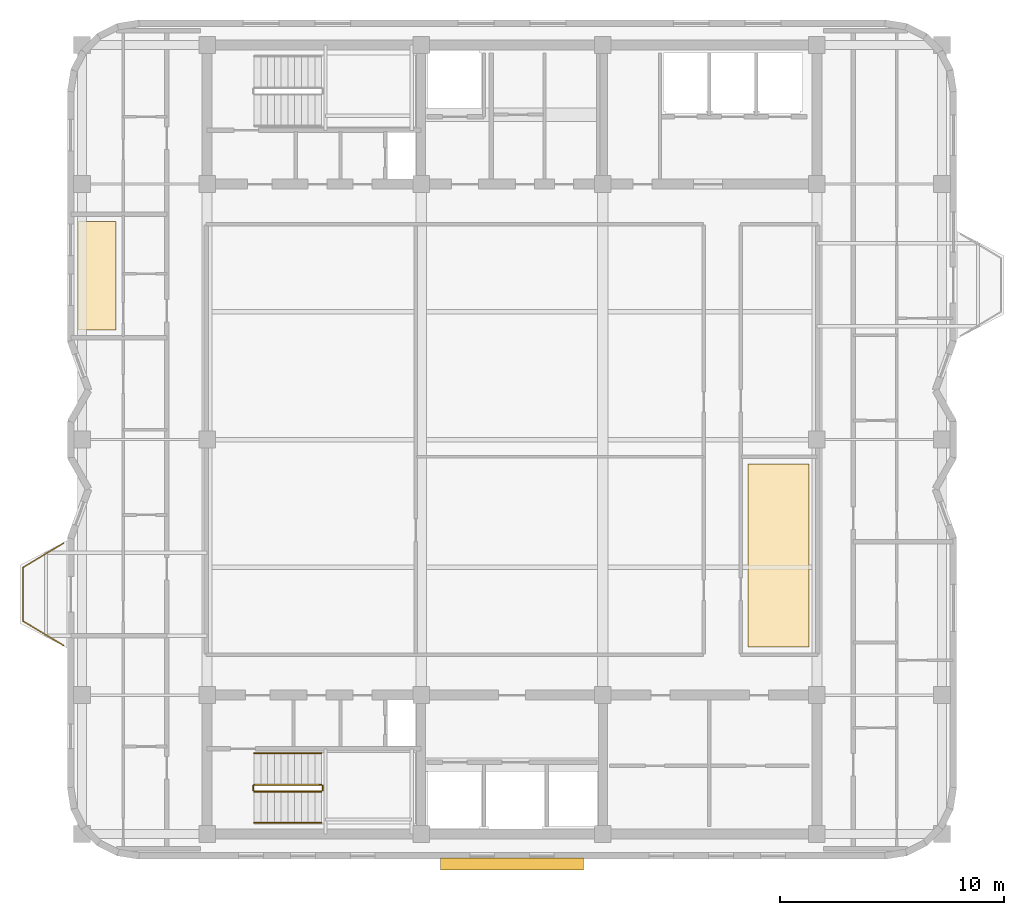
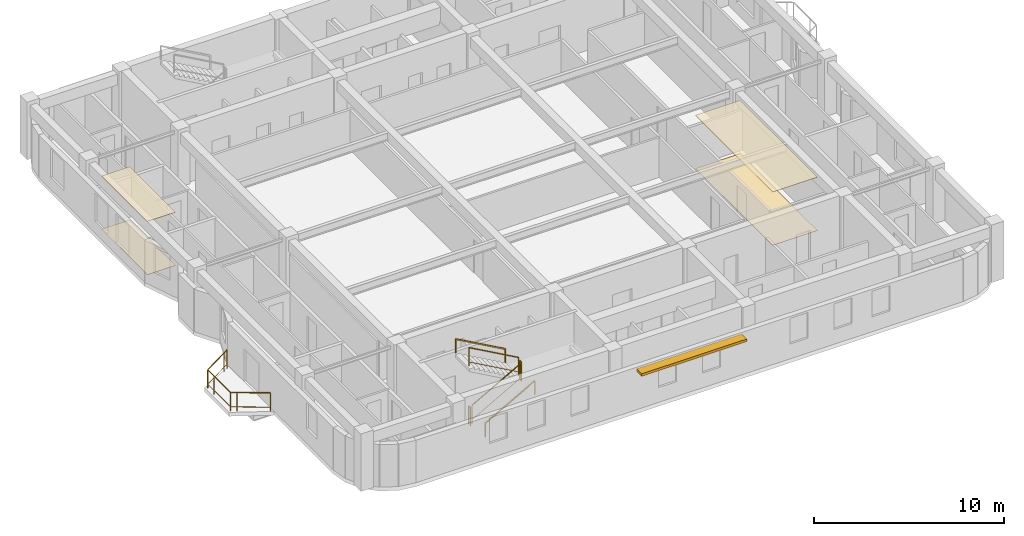
# One storey, part 8 of 9: 7 railings, 4 coverings, 1 shading device.
"""IFC4 building model written with IfcOpenShell, lengths in metres."""

from ifc_helpers import new_model, si_unit, direction, frame, origin, origin_2d, place, context, subcontext, project, spatial, polyline, rectangle, outline, extrude, material, layer, layer_set, type_object, element, save


model = new_model("IFC4")

# Units and contexts
model_context = context("Model", 3, precision=1e-05, world=origin(), true_north=direction((0.0, 1.0)))
body_context = subcontext(model_context, "Body", "Model", "MODEL_VIEW")
ifc_project = project(units=[si_unit("LENGTHUNIT", "METRE"), si_unit("AREAUNIT", "SQUARE_METRE"), si_unit("VOLUMEUNIT", "CUBIC_METRE"), si_unit("PLANEANGLEUNIT", "RADIAN"), si_unit("MASSUNIT", "GRAM", prefix="KILO")], contexts=[model_context])

# Site, building, storey
site_placement = place(None, origin())
site = spatial("IfcSite", under=ifc_project, at=site_placement, CompositionType="ELEMENT")
building_placement = place(site_placement, origin())
building = spatial("IfcBuilding", under=site, at=building_placement, Name="Svetorya Sky Lyceum", CompositionType="ELEMENT")
storey_placement = place(building_placement, frame((0.0, 0.0, 271.300048828125)))
storey = spatial("IfcBuildingStorey", under=building, at=storey_placement, Name="L68", CompositionType="ELEMENT", Elevation=271.300048828125)

# Coverings
ifc_material_1 = material(Name="Mineral-fibre classroom acoustic ceiling tile")
ifc_layer_1 = layer(ifc_material_1, 0.02392578125)
ifc_layer_set_1 = layer_set([ifc_layer_1], Name="Mineral-fibre classroom acoustic ceiling tile")
covering_type_1 = type_object("IfcCoveringType", Name="COV-CLG-AC24", PredefinedType="CEILING", material=ifc_layer_set_1)
covering_1_placement = place(storey_placement, frame((0.0, 0.0, 3.426025390625)))
element("IfcCovering", 1, at=covering_1_placement, inside=storey, type_object=covering_type_1, Name="Residents Club Hall L68 Acoustic Ceiling", PredefinedType="CEILING", context=body_context, shape_type="SweptSolid", body=[
    extrude(outline(polyline([(49.719970703125, 18.949951171875), (52.449951171875, 18.949951171875), (52.449951171875, 27.1044921875), (49.719970703125, 27.1044921875), (49.719970703125, 18.949951171875)])), origin(), (0.0, 0.0, 1.0), 0.02392578125),
])
covering_2_placement = place(storey_placement, frame((0.0, 0.0, 3.426025390625)))
element("IfcCovering", 2, at=covering_2_placement, inside=storey, type_object=covering_type_1, Name="Apartment W3 Studio Living Room Acoustic Ceiling", PredefinedType="CEILING", context=body_context, shape_type="SweptSolid", body=[
    extrude(outline(polyline([(19.830078125, 33.080078125), (21.5400390625, 33.080078125), (21.5400390625, 37.919921875), (19.830078125, 37.919921875), (19.830078125, 33.080078125)])), origin(), (0.0, 0.0, 1.0), 0.02392578125),
])
ifc_material_2 = material(Name="Engineered Nordic oak parquet flooring")
ifc_layer_2 = layer(ifc_material_2, 0.02197265625)
ifc_layer_set_2 = layer_set([ifc_layer_2], Name="Engineered Nordic oak parquet flooring")
covering_type_2 = type_object("IfcCoveringType", Name="COV-FLR-OAK", PredefinedType="FLOORING", material=ifc_layer_set_2)
covering_3_placement = place(storey_placement, origin())
element("IfcCovering", 3, at=covering_3_placement, inside=storey, type_object=covering_type_2, Name="Residents Club Hall L68 Architectural Flooring", PredefinedType="FLOORING", context=body_context, shape_type="SweptSolid", body=[
    extrude(outline(polyline([(49.719970703125, 18.949951171875), (52.449951171875, 18.949951171875), (52.449951171875, 27.1044921875), (49.719970703125, 27.1044921875), (49.719970703125, 18.949951171875)])), origin(), (0.0, 0.0, 1.0), 0.02197265625),
])
covering_4_placement = place(storey_placement, origin())
element("IfcCovering", 4, at=covering_4_placement, inside=storey, type_object=covering_type_2, Name="Apartment W3 Studio Living Room Architectural Flooring", PredefinedType="FLOORING", context=body_context, shape_type="SweptSolid", body=[
    extrude(outline(polyline([(19.830078125, 33.080078125), (21.5400390625, 33.080078125), (21.5400390625, 37.919921875), (19.830078125, 37.919921875), (19.830078125, 33.080078125)])), origin(), (0.0, 0.0, 1.0), 0.02197265625),
])

# Railings
ifc_material_3 = material(Name="Laminated safety glass and stainless AISI 316", Category="glass")
railing_type_1 = type_object("IfcRailingType", Name="RL-BAL-1200", PredefinedType="BALUSTRADE", material=ifc_material_3)
railing_1_placement = place(storey_placement, frame((19.18994140625, 19.02001953125, 0.0)))
element("IfcRailing", 5, at=railing_1_placement, inside=storey, type_object=railing_type_1, Name="L68 Balcony Balustrade BAL-W1", PredefinedType="BALUSTRADE", context=body_context, shape_type="SweptSolid", body=[
    extrude(rectangle(XDim=0.048095703125, YDim=0.048095703125, at=origin_2d()), frame((0.0, 0.0, 1.17578125), z_axis=(-0.857482663744, 0.514512858321, 0.0), x_axis=(-0.514512858321, -0.857482663744, 0.0)), (0.0, 0.0, 1.0), 2.09912109375),
    extrude(rectangle(XDim=0.02392578125, YDim=0.02392578125, at=origin_2d()), frame((0.0, 0.0, 0.25), z_axis=(-0.857482663744, 0.514512858321, 0.0), x_axis=(-0.514512858321, -0.857482663744, 0.0)), (0.0, 0.0, 1.0), 2.09912109375),
    extrude(rectangle(XDim=0.048095703125, YDim=0.048095703125, at=origin_2d()), frame((-1.800048828125, 1.080078125, 1.17578125), z_axis=(0.0, 1.0, 0.0), x_axis=(-1.0, 0.0, 0.0)), (0.0, 0.0, 1.0), 2.39990234375),
    extrude(rectangle(XDim=0.02392578125, YDim=0.02392578125, at=origin_2d()), frame((-1.800048828125, 1.080078125, 0.25), z_axis=(0.0, 1.0, 0.0), x_axis=(-1.0, 0.0, 0.0)), (0.0, 0.0, 1.0), 2.39990234375),
    extrude(rectangle(XDim=0.048095703125, YDim=0.048095703125, at=origin_2d()), frame((-1.800048828125, 3.47998046875, 1.17578125), z_axis=(0.857482663744, 0.514512858321, 0.0), x_axis=(-0.514512858321, 0.857482663744, 0.0)), (0.0, 0.0, 1.0), 2.09912109375),
    extrude(rectangle(XDim=0.02392578125, YDim=0.02392578125, at=origin_2d()), frame((-1.800048828125, 3.47998046875, 0.25), z_axis=(0.857482663744, 0.514512858321, 0.0), x_axis=(-0.514512858321, 0.857482663744, 0.0)), (0.0, 0.0, 1.0), 2.09912109375),
    extrude(rectangle(XDim=0.0419921875, YDim=0.0419921875, at=origin_2d()), origin(), (0.0, 0.0, 1.0), 1.15185546875),
    extrude(rectangle(XDim=0.0419921875, YDim=0.0419921875, at=origin_2d()), frame((-1.50048828125, 0.900390625, 0.0)), (0.0, 0.0, 1.0), 1.15185546875),
    extrude(rectangle(XDim=0.0419921875, YDim=0.0419921875, at=origin_2d()), frame((-1.800048828125, 1.080078125, 0.0)), (0.0, 0.0, 1.0), 1.15185546875),
    extrude(rectangle(XDim=0.0419921875, YDim=0.0419921875, at=origin_2d()), frame((-1.800048828125, 2.830078125, 0.0)), (0.0, 0.0, 1.0), 1.15185546875),
    extrude(rectangle(XDim=0.0419921875, YDim=0.0419921875, at=origin_2d()), frame((-1.800048828125, 3.47998046875, 0.0)), (0.0, 0.0, 1.0), 1.15185546875),
    extrude(rectangle(XDim=0.0419921875, YDim=0.0419921875, at=origin_2d()), frame((-0.299560546875, 4.38037109375, 0.0)), (0.0, 0.0, 1.0), 1.15185546875),
    extrude(rectangle(XDim=0.0419921875, YDim=0.0419921875, at=origin_2d()), frame((0.0, 4.56005859375, 0.0)), (0.0, 0.0, 1.0), 1.15185546875),
])
ifc_material_4 = material(Name="Painted galvanized stair well guard")
railing_type_2 = type_object("IfcRailingType", Name="RL-STR-GUARD-1200", PredefinedType="GUARDRAIL", material=ifc_material_4)
railing_2_placement = place(storey_placement, frame((27.699951171875, 12.5, 0.168212890625)))
element("IfcRailing", 6, at=railing_2_placement, inside=storey, type_object=railing_type_2, Name="L68 ST-S stair guard 1", PredefinedType="GUARDRAIL", context=body_context, shape_type="SweptSolid", body=[
    extrude(rectangle(XDim=0.048095703125, YDim=0.048095703125, at=origin_2d()), frame((0.0, 0.0, 1.17578125), z_axis=(0.872302573547, 0.0, 0.488966481656), x_axis=(0.0, 1.0, 0.0)), (0.0, 0.0, 1.0), 3.439208984375),
    extrude(rectangle(XDim=0.02392578125, YDim=0.02392578125, at=origin_2d()), frame((0.0, 0.0, 0.25), z_axis=(0.872302573547, 0.0, 0.488966481656), x_axis=(0.0, 1.0, 0.0)), (0.0, 0.0, 1.0), 3.439208984375),
    extrude(rectangle(XDim=0.0419921875, YDim=0.0419921875, at=origin_2d()), origin(), (0.0, 0.0, 1.0), 1.15185546875),
    extrude(rectangle(XDim=0.0419921875, YDim=0.0419921875, at=origin_2d()), frame((3.0, 0.0, 1.681640625)), (0.0, 0.0, 1.0), 1.15185546875),
])
railing_3_placement = place(storey_placement, frame((30.75, 12.550048828125, 1.849853515625)))
element("IfcRailing", 7, at=railing_3_placement, inside=storey, type_object=railing_type_2, Name="L68 ST-S stair guard 2", PredefinedType="GUARDRAIL", context=body_context, shape_type="SweptSolid", body=[
    extrude(rectangle(XDim=0.048095703125, YDim=0.048095703125, at=origin_2d()), frame((0.0, 0.0, 1.17578125), z_axis=(0.0, 1.0, 0.0), x_axis=(-1.0, 0.0, 0.0)), (0.0, 0.0, 1.0), 0.199951171875),
    extrude(rectangle(XDim=0.02392578125, YDim=0.02392578125, at=origin_2d()), frame((0.0, 0.0, 0.25), z_axis=(0.0, 1.0, 0.0), x_axis=(-1.0, 0.0, 0.0)), (0.0, 0.0, 1.0), 0.199951171875),
    extrude(rectangle(XDim=0.0419921875, YDim=0.0419921875, at=origin_2d()), origin(), (0.0, 0.0, 1.0), 1.15185546875),
    extrude(rectangle(XDim=0.0419921875, YDim=0.0419921875, at=origin_2d()), frame((0.0, 0.199951171875, 0.0)), (0.0, 0.0, 1.0), 1.15185546875),
])
railing_4_placement = place(storey_placement, frame((30.699951171875, 12.800048828125, 2.01806640625)))
element("IfcRailing", 8, at=railing_4_placement, inside=storey, type_object=railing_type_2, Name="L68 ST-S stair guard 3", PredefinedType="GUARDRAIL", context=body_context, shape_type="SweptSolid", body=[
    extrude(rectangle(XDim=0.048095703125, YDim=0.048095703125, at=origin_2d()), frame((0.0, 0.0, 1.17578125), z_axis=(-0.872272294576, 0.0, 0.489020494575), x_axis=(0.0, -1.0, 0.0)), (0.0, 0.0, 1.0), 3.439208984375),
    extrude(rectangle(XDim=0.02392578125, YDim=0.02392578125, at=origin_2d()), frame((0.0, 0.0, 0.25), z_axis=(-0.872272294576, 0.0, 0.489020494575), x_axis=(0.0, -1.0, 0.0)), (0.0, 0.0, 1.0), 3.439208984375),
    extrude(rectangle(XDim=0.0419921875, YDim=0.0419921875, at=origin_2d()), origin(), (0.0, 0.0, 1.0), 1.15185546875),
    extrude(rectangle(XDim=0.0419921875, YDim=0.0419921875, at=origin_2d()), frame((-3.0, 0.0, 1.681884765625)), (0.0, 0.0, 1.0), 1.15185546875),
])
railing_5_placement = place(storey_placement, frame((27.64990234375, 12.550048828125, 0.0)))
element("IfcRailing", 9, at=railing_5_placement, inside=storey, type_object=railing_type_2, Name="L68 ST-S stair guard 4", PredefinedType="GUARDRAIL", context=body_context, shape_type="SweptSolid", body=[
    extrude(rectangle(XDim=0.048095703125, YDim=0.048095703125, at=origin_2d()), frame((0.0, 0.0, 1.17578125), z_axis=(0.0, 1.0, 0.0), x_axis=(-1.0, 0.0, 0.0)), (0.0, 0.0, 1.0), 0.199951171875),
    extrude(rectangle(XDim=0.02392578125, YDim=0.02392578125, at=origin_2d()), frame((0.0, 0.0, 0.25), z_axis=(0.0, 1.0, 0.0), x_axis=(-1.0, 0.0, 0.0)), (0.0, 0.0, 1.0), 0.199951171875),
    extrude(rectangle(XDim=0.0419921875, YDim=0.0419921875, at=origin_2d()), origin(), (0.0, 0.0, 1.0), 1.15185546875),
    extrude(rectangle(XDim=0.0419921875, YDim=0.0419921875, at=origin_2d()), frame((0.0, 0.199951171875, 0.0)), (0.0, 0.0, 1.0), 1.15185546875),
])
ifc_material_5 = material(Name="Brushed stainless AISI 304 stair handrail")
railing_type_3 = type_object("IfcRailingType", Name="RL-STR-HAND-920", PredefinedType="HANDRAIL", material=ifc_material_5)
railing_6_placement = place(storey_placement, frame((27.699951171875, 11.10009765625, 0.168212890625)))
element("IfcRailing", 10, at=railing_6_placement, inside=storey, type_object=railing_type_3, Name="L68 ST-S stair handrail 1", PredefinedType="HANDRAIL", context=body_context, shape_type="SweptSolid", body=[
    extrude(rectangle(XDim=0.048095703125, YDim=0.048095703125, at=origin_2d()), frame((0.0, 0.0, 0.8759765625), z_axis=(0.872302573547, 0.0, 0.488966481656), x_axis=(0.0, 1.0, 0.0)), (0.0, 0.0, 1.0), 3.439208984375),
    extrude(rectangle(XDim=0.0419921875, YDim=0.0419921875, at=origin_2d()), origin(), (0.0, 0.0, 1.0), 0.851806640625),
    extrude(rectangle(XDim=0.0419921875, YDim=0.0419921875, at=origin_2d()), frame((3.0, 0.0, 1.681640625)), (0.0, 0.0, 1.0), 0.851806640625),
])
railing_7_placement = place(storey_placement, frame((30.699951171875, 14.199951171875, 2.01806640625)))
element("IfcRailing", 11, at=railing_7_placement, inside=storey, type_object=railing_type_3, Name="L68 ST-S stair handrail 2", PredefinedType="HANDRAIL", context=body_context, shape_type="SweptSolid", body=[
    extrude(rectangle(XDim=0.048095703125, YDim=0.048095703125, at=origin_2d()), frame((0.0, 0.0, 0.8759765625), z_axis=(-0.872272294576, 0.0, 0.489020494575), x_axis=(0.0, -1.0, 0.0)), (0.0, 0.0, 1.0), 3.439208984375),
    extrude(rectangle(XDim=0.0419921875, YDim=0.0419921875, at=origin_2d()), origin(), (0.0, 0.0, 1.0), 0.851806640625),
    extrude(rectangle(XDim=0.0419921875, YDim=0.0419921875, at=origin_2d()), frame((-3.0, 0.0, 1.681884765625)), (0.0, 0.0, 1.0), 0.851806640625),
])

# Shading device
ifc_material_6 = material(Name="Champagne-anodized extruded aluminium sunshade", Category="aluminium")
ifc_layer_3 = layer(ifc_material_6, 0.159912109375)
ifc_layer_set_3 = layer_set([ifc_layer_3], Name="Champagne-anodized extruded aluminium sunshade")
shading_device_type = type_object("IfcShadingDeviceType", Name="SHD-LVR-540", PredefinedType="AWNING", material=ifc_layer_set_3)
shading_device_placement = place(storey_placement, frame((39.199951171875, 9.260009765625, 2.43017578125), z_axis=(0.0, 0.0, 1.0), x_axis=(1.0, 0.0, 0.0)))
element("IfcShadingDevice", 12, at=shading_device_placement, inside=storey, type_object=shading_device_type, Name="L68 Solar Brise-Soleil SHD-1.6M", PredefinedType="AWNING", context=body_context, shape_type="SweptSolid", body=[
    extrude(rectangle(XDim=6.39990234375, YDim=0.5400390625, at=origin_2d()), origin(), (0.0, 0.0, 1.0), 0.159912109375),
])

save(model, "model.ifc")
